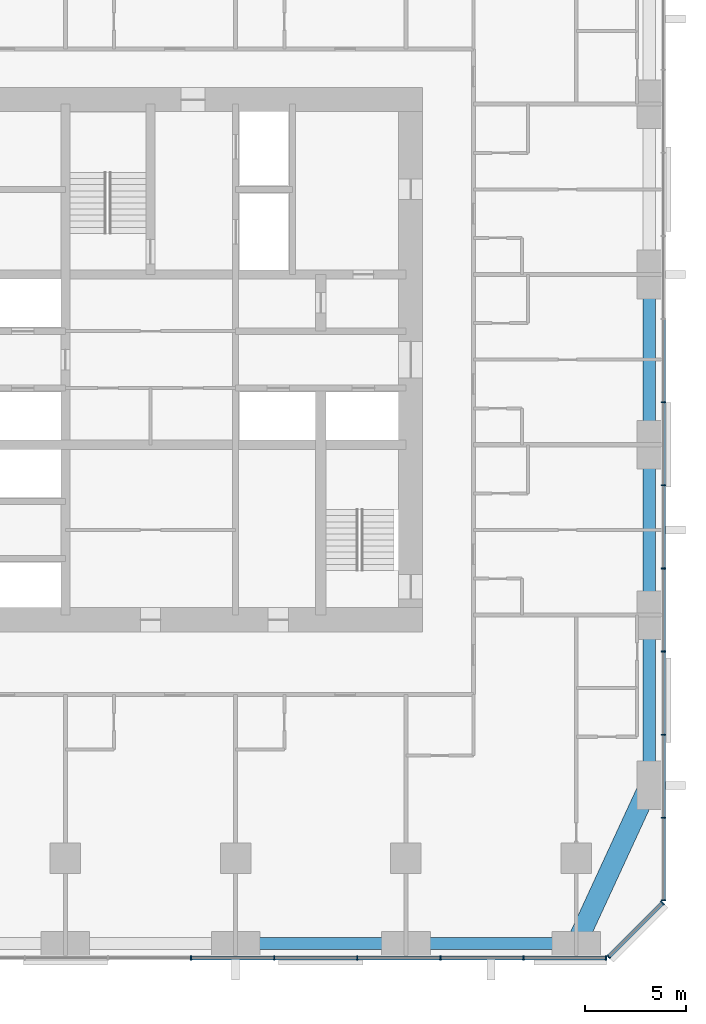
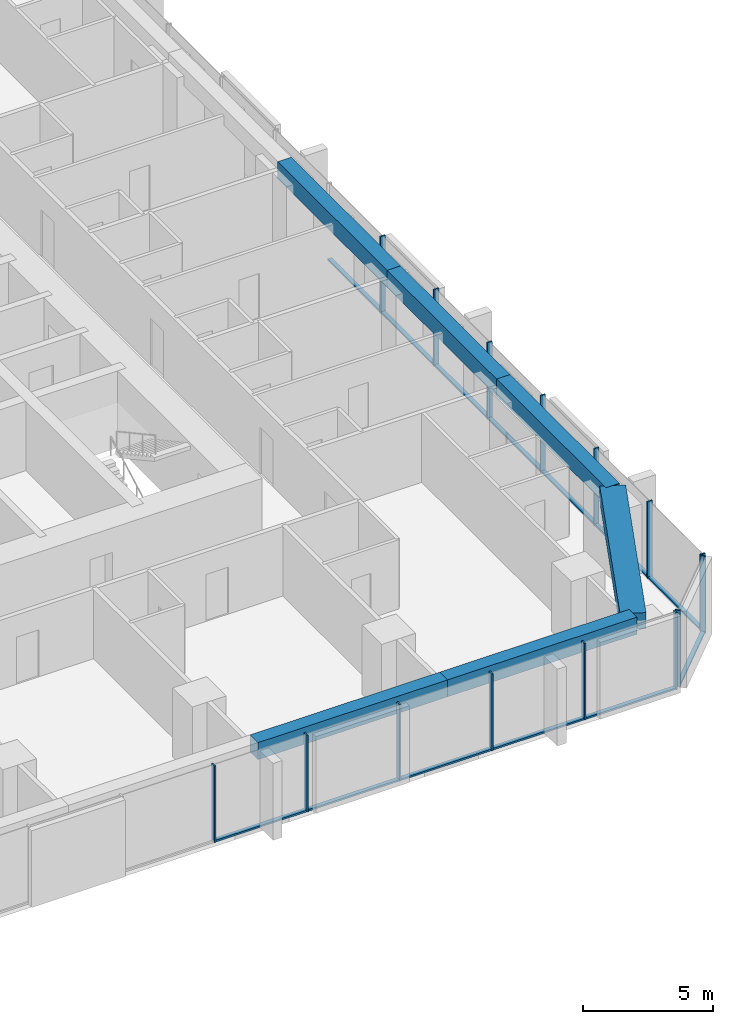
# One storey, part 4 of 13: 28 members, 6 beams, 3 elements without a shape of their own.
"""IFC4 building model written with IfcOpenShell, lengths in metres."""

from ifc_helpers import new_model, si_unit, direction, frame, origin, origin_2d, place, context, subcontext, project, spatial, rectangle, extrude, material, material_profile, profile_set, type_object, element, aggregate, save


model = new_model("IFC4")

# Units and contexts
model_context = context("Model", 3, precision=1e-05, world=origin(), true_north=direction((0.0, 1.0)))
body_context = subcontext(model_context, "Body", "Model", "MODEL_VIEW")
ifc_project = project(units=[si_unit("LENGTHUNIT", "METRE"), si_unit("AREAUNIT", "SQUARE_METRE"), si_unit("VOLUMEUNIT", "CUBIC_METRE"), si_unit("PLANEANGLEUNIT", "RADIAN"), si_unit("MASSUNIT", "GRAM", prefix="KILO")], contexts=[model_context])

# Site, building, storey
site_placement = place(None, origin())
site = spatial("IfcSite", under=ifc_project, at=site_placement, CompositionType="ELEMENT")
building_placement = place(site_placement, origin())
building = spatial("IfcBuilding", under=site, at=building_placement, Name="Dunama Terrace Hotel", CompositionType="ELEMENT")
storey_placement = place(building_placement, frame((0.0, 0.0, 111.60009765625)))
storey = spatial("IfcBuildingStorey", under=building, at=storey_placement, Name="L28", CompositionType="ELEMENT", Elevation=111.60009765625)

# Curtain wall, members
ifc_material_1 = material(Name="Aluminium curtain wall system", Category="aluminium")
curtain_wall_type = type_object("IfcCurtainWallType", Name="Unitised fritted glass wall CW-B", PredefinedType="NOTDEFINED", material=ifc_material_1)
curtain_wall_1_placement = place(storey_placement, origin())
curtain_wall_1 = element("IfcCurtainWall", 1, at=curtain_wall_1_placement, inside=storey, type_object=curtain_wall_type, Name="Unitised fritted glass wall CW-B L28", PredefinedType="NOTDEFINED")
ifc_material_2 = material(Name="Aluminium mullion", Category="aluminium")
ifc_material_profile_1 = material_profile(ifc_material_2, rectangle(XDim=0.06494140625, YDim=0.219970703125, at=origin_2d()), Name="CWB MULLION 65X220")
ifc_profile_set_1 = profile_set([ifc_material_profile_1], Name="Aluminium mullion")
member_type_1 = type_object("IfcMemberType", Name="CWB mullion 65x220", PredefinedType="MULLION", material=ifc_profile_set_1)
member_1_placement = place(storey_placement, frame((31.39990234375, -0.110107421875, 0.0), z_axis=(0.0, 0.0, 1.0), x_axis=(1.0, 0.0, 0.0)))
member_1 = element("IfcMember", 2, at=member_1_placement, type_object=member_type_1, Name="CWB mullion", PredefinedType="MULLION", context=body_context, shape_type="SweptSolid", body=[
    extrude(rectangle(XDim=0.06494140625, YDim=0.219970703125, at=origin_2d()), origin(), (0.0, 0.0, 1.0), 3.599853515625),
])
member_2_placement = place(storey_placement, frame((35.5, -0.110107421875, 0.0), z_axis=(0.0, 0.0, 1.0), x_axis=(1.0, 0.0, 0.0)))
member_2 = element("IfcMember", 3, at=member_2_placement, type_object=member_type_1, Name="CWB mullion", PredefinedType="MULLION", context=body_context, shape_type="SweptSolid", body=[
    extrude(rectangle(XDim=0.06494140625, YDim=0.219970703125, at=origin_2d()), origin(), (0.0, 0.0, 1.0), 3.599853515625),
])
member_3_placement = place(storey_placement, frame((39.60009765625, -0.110107421875, 0.0), z_axis=(0.0, 0.0, 1.0), x_axis=(1.0, 0.0, 0.0)))
member_3 = element("IfcMember", 4, at=member_3_placement, type_object=member_type_1, Name="CWB mullion", PredefinedType="MULLION", context=body_context, shape_type="SweptSolid", body=[
    extrude(rectangle(XDim=0.06494140625, YDim=0.219970703125, at=origin_2d()), origin(), (0.0, 0.0, 1.0), 3.599853515625),
])
member_4_placement = place(storey_placement, frame((43.699951171875, -0.110107421875, 0.0), z_axis=(0.0, 0.0, 1.0), x_axis=(1.0, 0.0, 0.0)))
member_4 = element("IfcMember", 5, at=member_4_placement, type_object=member_type_1, Name="CWB mullion", PredefinedType="MULLION", context=body_context, shape_type="SweptSolid", body=[
    extrude(rectangle(XDim=0.06494140625, YDim=0.219970703125, at=origin_2d()), origin(), (0.0, 0.0, 1.0), 3.599853515625),
])
member_5_placement = place(storey_placement, frame((47.800048828125, -0.110107421875, 0.0), z_axis=(0.0, 0.0, 1.0), x_axis=(1.0, 0.0, 0.0)))
member_5 = element("IfcMember", 6, at=member_5_placement, type_object=member_type_1, Name="CWB mullion", PredefinedType="MULLION", context=body_context, shape_type="SweptSolid", body=[
    extrude(rectangle(XDim=0.06494140625, YDim=0.219970703125, at=origin_2d()), origin(), (0.0, 0.0, 1.0), 3.599853515625),
])
member_6_placement = place(storey_placement, frame((51.866943359375, -0.110107421875, 0.0), z_axis=(0.0, 0.0, 1.0), x_axis=(1.0, 0.0, 0.0)))
member_6 = element("IfcMember", 7, at=member_6_placement, type_object=member_type_1, Name="CWB mullion", PredefinedType="MULLION", context=body_context, shape_type="SweptSolid", body=[
    extrude(rectangle(XDim=0.06494140625, YDim=0.219970703125, at=origin_2d()), origin(), (0.0, 0.0, 1.0), 3.599853515625),
])

curtain_wall_2_placement = place(storey_placement, origin())
curtain_wall_2 = element("IfcCurtainWall", 8, at=curtain_wall_2_placement, inside=storey, type_object=curtain_wall_type, Name="Unitised fritted glass wall CW-B L28", PredefinedType="NOTDEFINED")
member_7_placement = place(storey_placement, frame((52.0009765625, -0.054931640625, 0.0), z_axis=(0.0, 0.0, 1.0), x_axis=(0.707106781187, 0.707106781187, 0.0)))
member_7 = element("IfcMember", 9, at=member_7_placement, type_object=member_type_1, Name="CWB mullion", PredefinedType="MULLION", context=body_context, shape_type="SweptSolid", body=[
    extrude(rectangle(XDim=0.06494140625, YDim=0.219970703125, at=origin_2d()), origin(), (0.0, 0.0, 1.0), 3.599853515625),
])
member_8_placement = place(storey_placement, frame((54.655029296875, 2.59912109375, 0.0), z_axis=(0.0, 0.0, 1.0), x_axis=(0.707106781187, 0.707106781187, 0.0)))
member_8 = element("IfcMember", 10, at=member_8_placement, type_object=member_type_1, Name="CWB mullion", PredefinedType="MULLION", context=body_context, shape_type="SweptSolid", body=[
    extrude(rectangle(XDim=0.06494140625, YDim=0.219970703125, at=origin_2d()), origin(), (0.0, 0.0, 1.0), 3.599853515625),
])

curtain_wall_3_placement = place(storey_placement, origin())
curtain_wall_3 = element("IfcCurtainWall", 11, at=curtain_wall_3_placement, inside=storey, type_object=curtain_wall_type, Name="Unitised fritted glass wall CW-B L28", PredefinedType="NOTDEFINED")
member_9_placement = place(storey_placement, frame((54.7099609375, 2.73291015625, 0.0), z_axis=(0.0, 0.0, 1.0), x_axis=(0.0, 1.0, 0.0)))
member_9 = element("IfcMember", 12, at=member_9_placement, type_object=member_type_1, Name="CWB mullion", PredefinedType="MULLION", context=body_context, shape_type="SweptSolid", body=[
    extrude(rectangle(XDim=0.06494140625, YDim=0.219970703125, at=origin_2d()), origin(), (0.0, 0.0, 1.0), 3.599853515625),
])
member_10_placement = place(storey_placement, frame((54.7099609375, 6.800048828125, 0.0), z_axis=(0.0, 0.0, 1.0), x_axis=(0.0, 1.0, 0.0)))
member_10 = element("IfcMember", 13, at=member_10_placement, type_object=member_type_1, Name="CWB mullion", PredefinedType="MULLION", context=body_context, shape_type="SweptSolid", body=[
    extrude(rectangle(XDim=0.06494140625, YDim=0.219970703125, at=origin_2d()), origin(), (0.0, 0.0, 1.0), 3.599853515625),
])
member_11_placement = place(storey_placement, frame((54.7099609375, 10.89990234375, 0.0), z_axis=(0.0, 0.0, 1.0), x_axis=(0.0, 1.0, 0.0)))
member_11 = element("IfcMember", 14, at=member_11_placement, type_object=member_type_1, Name="CWB mullion", PredefinedType="MULLION", context=body_context, shape_type="SweptSolid", body=[
    extrude(rectangle(XDim=0.06494140625, YDim=0.219970703125, at=origin_2d()), origin(), (0.0, 0.0, 1.0), 3.599853515625),
])
member_12_placement = place(storey_placement, frame((54.7099609375, 15.0, 0.0), z_axis=(0.0, 0.0, 1.0), x_axis=(0.0, 1.0, 0.0)))
member_12 = element("IfcMember", 15, at=member_12_placement, type_object=member_type_1, Name="CWB mullion", PredefinedType="MULLION", context=body_context, shape_type="SweptSolid", body=[
    extrude(rectangle(XDim=0.06494140625, YDim=0.219970703125, at=origin_2d()), origin(), (0.0, 0.0, 1.0), 3.599853515625),
])
member_13_placement = place(storey_placement, frame((54.7099609375, 19.10009765625, 0.0), z_axis=(0.0, 0.0, 1.0), x_axis=(0.0, 1.0, 0.0)))
member_13 = element("IfcMember", 16, at=member_13_placement, type_object=member_type_1, Name="CWB mullion", PredefinedType="MULLION", context=body_context, shape_type="SweptSolid", body=[
    extrude(rectangle(XDim=0.06494140625, YDim=0.219970703125, at=origin_2d()), origin(), (0.0, 0.0, 1.0), 3.599853515625),
])
member_14_placement = place(storey_placement, frame((54.7099609375, 23.199951171875, 0.0), z_axis=(0.0, 0.0, 1.0), x_axis=(0.0, 1.0, 0.0)))
member_14 = element("IfcMember", 17, at=member_14_placement, type_object=member_type_1, Name="CWB mullion", PredefinedType="MULLION", context=body_context, shape_type="SweptSolid", body=[
    extrude(rectangle(XDim=0.06494140625, YDim=0.219970703125, at=origin_2d()), origin(), (0.0, 0.0, 1.0), 3.599853515625),
])
member_15_placement = place(storey_placement, frame((54.7099609375, 27.300048828125, 0.0), z_axis=(0.0, 0.0, 1.0), x_axis=(0.0, 1.0, 0.0)))
member_15 = element("IfcMember", 18, at=member_15_placement, type_object=member_type_1, Name="CWB mullion", PredefinedType="MULLION", context=body_context, shape_type="SweptSolid", body=[
    extrude(rectangle(XDim=0.06494140625, YDim=0.219970703125, at=origin_2d()), origin(), (0.0, 0.0, 1.0), 3.599853515625),
])

# Member
ifc_material_3 = material(Name="Aluminium transom", Category="aluminium")
ifc_material_profile_2 = material_profile(ifc_material_3, rectangle(XDim=0.179931640625, YDim=0.080078125, at=origin_2d()), Name="CWB TRANSOM 180X80")
ifc_profile_set_2 = profile_set([ifc_material_profile_2], Name="Aluminium transom")
member_type_2 = type_object("IfcMemberType", Name="CWB transom 180x80", PredefinedType="USERDEFINED", material=ifc_profile_set_2)
member_16_placement = place(storey_placement, frame((31.431884765625, -0.110107421875, 0.039794921875), z_axis=(1.0, 0.0, 0.0), x_axis=(0.0, 1.0, 0.0)))
member_16 = element("IfcMember", 19, at=member_16_placement, type_object=member_type_2, Name="CWB transom", ObjectType="TRANSOM", PredefinedType="USERDEFINED", context=body_context, shape_type="SweptSolid", body=[
    extrude(rectangle(XDim=0.179931640625, YDim=0.080078125, at=origin_2d()), origin(), (0.0, 0.0, 1.0), 4.0361328125),
])

member_17_placement = place(storey_placement, frame((35.531982421875, -0.110107421875, 0.039794921875), z_axis=(1.0, 0.0, 0.0), x_axis=(0.0, 1.0, 0.0)))
member_17 = element("IfcMember", 20, at=member_17_placement, type_object=member_type_2, Name="CWB transom", ObjectType="TRANSOM", PredefinedType="USERDEFINED", context=body_context, shape_type="SweptSolid", body=[
    extrude(rectangle(XDim=0.179931640625, YDim=0.080078125, at=origin_2d()), origin(), (0.0, 0.0, 1.0), 4.0361328125),
])

member_18_placement = place(storey_placement, frame((39.633056640625, -0.110107421875, 0.039794921875), z_axis=(1.0, 0.0, 0.0), x_axis=(0.0, 1.0, 0.0)))
member_18 = element("IfcMember", 21, at=member_18_placement, type_object=member_type_2, Name="CWB transom", ObjectType="TRANSOM", PredefinedType="USERDEFINED", context=body_context, shape_type="SweptSolid", body=[
    extrude(rectangle(XDim=0.179931640625, YDim=0.080078125, at=origin_2d()), origin(), (0.0, 0.0, 1.0), 4.034912109375),
])

member_19_placement = place(storey_placement, frame((43.73291015625, -0.110107421875, 0.039794921875), z_axis=(1.0, 0.0, 0.0), x_axis=(0.0, 1.0, 0.0)))
member_19 = element("IfcMember", 22, at=member_19_placement, type_object=member_type_2, Name="CWB transom", ObjectType="TRANSOM", PredefinedType="USERDEFINED", context=body_context, shape_type="SweptSolid", body=[
    extrude(rectangle(XDim=0.179931640625, YDim=0.080078125, at=origin_2d()), origin(), (0.0, 0.0, 1.0), 4.0341796875),
])

member_20_placement = place(storey_placement, frame((47.83203125, -0.110107421875, 0.039794921875), z_axis=(1.0, 0.0, 0.0), x_axis=(0.0, 1.0, 0.0)))
member_20 = element("IfcMember", 23, at=member_20_placement, type_object=member_type_2, Name="CWB transom", ObjectType="TRANSOM", PredefinedType="USERDEFINED", context=body_context, shape_type="SweptSolid", body=[
    extrude(rectangle(XDim=0.179931640625, YDim=0.080078125, at=origin_2d()), origin(), (0.0, 0.0, 1.0), 4.0029296875),
])

aggregate(curtain_wall_1, [member_1, member_2, member_3, member_4, member_5, member_6, member_16, member_17, member_18, member_19, member_20])

member_21_placement = place(storey_placement, frame((52.02392578125, -0.031982421875, 0.039794921875), z_axis=(0.707139876915, 0.707073683909, 0.0), x_axis=(-0.707073683909, 0.707139876915, 0.0)))
member_21 = element("IfcMember", 24, at=member_21_placement, type_object=member_type_2, Name="CWB transom", ObjectType="TRANSOM", PredefinedType="USERDEFINED", context=body_context, shape_type="SweptSolid", body=[
    extrude(rectangle(XDim=0.179931640625, YDim=0.080078125, at=origin_2d()), origin(), (0.0, 0.0, 1.0), 3.688232421875),
])

aggregate(curtain_wall_2, [member_7, member_8, member_21])

member_22_placement = place(storey_placement, frame((54.7099609375, 2.764892578125, 0.039794921875), z_axis=(0.0, 1.0, 0.0), x_axis=(-1.0, 0.0, 0.0)))
member_22 = element("IfcMember", 25, at=member_22_placement, type_object=member_type_2, Name="CWB transom", ObjectType="TRANSOM", PredefinedType="USERDEFINED", context=body_context, shape_type="SweptSolid", body=[
    extrude(rectangle(XDim=0.179931640625, YDim=0.080078125, at=origin_2d()), origin(), (0.0, 0.0, 1.0), 4.003173828125),
])

member_23_placement = place(storey_placement, frame((54.7099609375, 6.83203125, 0.039794921875), z_axis=(0.0, 1.0, 0.0), x_axis=(-1.0, 0.0, 0.0)))
member_23 = element("IfcMember", 26, at=member_23_placement, type_object=member_type_2, Name="CWB transom", ObjectType="TRANSOM", PredefinedType="USERDEFINED", context=body_context, shape_type="SweptSolid", body=[
    extrude(rectangle(XDim=0.179931640625, YDim=0.080078125, at=origin_2d()), origin(), (0.0, 0.0, 1.0), 4.034912109375),
])

member_24_placement = place(storey_placement, frame((54.7099609375, 10.93310546875, 0.039794921875), z_axis=(0.0, 1.0, 0.0), x_axis=(-1.0, 0.0, 0.0)))
member_24 = element("IfcMember", 27, at=member_24_placement, type_object=member_type_2, Name="CWB transom", ObjectType="TRANSOM", PredefinedType="USERDEFINED", context=body_context, shape_type="SweptSolid", body=[
    extrude(rectangle(XDim=0.179931640625, YDim=0.080078125, at=origin_2d()), origin(), (0.0, 0.0, 1.0), 4.033935546875),
])

member_25_placement = place(storey_placement, frame((54.7099609375, 15.031982421875, 0.039794921875), z_axis=(0.0, 1.0, 0.0), x_axis=(-1.0, 0.0, 0.0)))
member_25 = element("IfcMember", 28, at=member_25_placement, type_object=member_type_2, Name="CWB transom", ObjectType="TRANSOM", PredefinedType="USERDEFINED", context=body_context, shape_type="SweptSolid", body=[
    extrude(rectangle(XDim=0.179931640625, YDim=0.080078125, at=origin_2d()), origin(), (0.0, 0.0, 1.0), 4.034912109375),
])

member_26_placement = place(storey_placement, frame((54.7099609375, 19.132080078125, 0.039794921875), z_axis=(0.0, 1.0, 0.0), x_axis=(-1.0, 0.0, 0.0)))
member_26 = element("IfcMember", 29, at=member_26_placement, type_object=member_type_2, Name="CWB transom", ObjectType="TRANSOM", PredefinedType="USERDEFINED", context=body_context, shape_type="SweptSolid", body=[
    extrude(rectangle(XDim=0.179931640625, YDim=0.080078125, at=origin_2d()), origin(), (0.0, 0.0, 1.0), 4.035888671875),
])

member_27_placement = place(storey_placement, frame((54.7099609375, 23.23193359375, 0.039794921875), z_axis=(0.0, 1.0, 0.0), x_axis=(-1.0, 0.0, 0.0)))
member_27 = element("IfcMember", 30, at=member_27_placement, type_object=member_type_2, Name="CWB transom", ObjectType="TRANSOM", PredefinedType="USERDEFINED", context=body_context, shape_type="SweptSolid", body=[
    extrude(rectangle(XDim=0.179931640625, YDim=0.080078125, at=origin_2d()), origin(), (0.0, 0.0, 1.0), 4.03515625),
])

member_28_placement = place(storey_placement, frame((54.7099609375, 27.33203125, 0.039794921875), z_axis=(0.0, 1.0, 0.0), x_axis=(-1.0, 0.0, 0.0)))
member_28 = element("IfcMember", 31, at=member_28_placement, type_object=member_type_2, Name="CWB transom", ObjectType="TRANSOM", PredefinedType="USERDEFINED", context=body_context, shape_type="SweptSolid", body=[
    extrude(rectangle(XDim=0.179931640625, YDim=0.080078125, at=origin_2d()), origin(), (0.0, 0.0, 1.0), 4.034912109375),
])

aggregate(curtain_wall_3, [member_9, member_10, member_11, member_12, member_13, member_14, member_15, member_22, member_23, member_24, member_25, member_26, member_27, member_28])

# Beams
ifc_material_4 = material(Name="Concrete C50/60", Category="concrete")
ifc_material_profile_3 = material_profile(ifc_material_4, rectangle(XDim=1.0, YDim=0.75, at=origin_2d()), Name="RC 1000x750")
ifc_profile_set_3 = profile_set([ifc_material_profile_3], Name="Concrete C50/60")
beam_type_1 = type_object("IfcBeamType", Name="Edge beam RC 1000x750", PredefinedType="SPANDREL", material=ifc_profile_set_3)
beam_1_placement = place(storey_placement, frame((50.39990234375, 0.60009765625, 3.224853515625), z_axis=(0.419076199598, 0.907951066374, 0.0), x_axis=(-0.907951066374, 0.419076199598, 0.0)))
element("IfcBeam", 32, at=beam_1_placement, inside=storey, type_object=beam_type_1, Name="Corner edge beam under L29", PredefinedType="SPANDREL", context=body_context, shape_type="SweptSolid", body=[
    extrude(rectangle(XDim=1.0, YDim=0.75, at=origin_2d()), origin(), (0.0, 0.0, 1.0), 8.590576171875),
])
ifc_material_5 = material(Name="Concrete C40/50", Category="concrete")
ifc_material_profile_4 = material_profile(ifc_material_5, rectangle(XDim=0.60009765625, YDim=0.800048828125, at=origin_2d()), Name="RC 600x800")
ifc_profile_set_4 = profile_set([ifc_material_profile_4], Name="Concrete C40/50")
beam_type_2 = type_object("IfcBeamType", Name="Edge beam RC 600x800", PredefinedType="SPANDREL", material=ifc_profile_set_4)
beam_2_placement = place(storey_placement, frame((54.0, 8.39990234375, 3.199951171875), z_axis=(0.0, 1.0, 0.0), x_axis=(-1.0, 0.0, 0.0)))
element("IfcBeam", 33, at=beam_2_placement, inside=storey, type_object=beam_type_2, Name="Edge beam under L29", PredefinedType="SPANDREL", context=body_context, shape_type="SweptSolid", body=[
    extrude(rectangle(XDim=0.60009765625, YDim=0.800048828125, at=origin_2d()), origin(), (0.0, 0.0, 1.0), 8.400146484375),
])
beam_3_placement = place(storey_placement, frame((54.0, 16.800048828125, 3.199951171875), z_axis=(0.0, 1.0, 0.0), x_axis=(-1.0, 0.0, 0.0)))
element("IfcBeam", 34, at=beam_3_placement, inside=storey, type_object=beam_type_2, Name="Edge beam under L29", PredefinedType="SPANDREL", context=body_context, shape_type="SweptSolid", body=[
    extrude(rectangle(XDim=0.60009765625, YDim=0.800048828125, at=origin_2d()), origin(), (0.0, 0.0, 1.0), 8.39990234375),
])
beam_4_placement = place(storey_placement, frame((54.0, 25.199951171875, 3.199951171875), z_axis=(0.0, 1.0, 0.0), x_axis=(-1.0, 0.0, 0.0)))
element("IfcBeam", 35, at=beam_4_placement, inside=storey, type_object=beam_type_2, Name="Edge beam under L29", PredefinedType="SPANDREL", context=body_context, shape_type="SweptSolid", body=[
    extrude(rectangle(XDim=0.60009765625, YDim=0.800048828125, at=origin_2d()), origin(), (0.0, 0.0, 1.0), 8.400146484375),
])
for number, where, z_axis, x_axis, name in (
    (36, (33.60009765625, 0.60009765625, 3.199951171875), (1.0, 0.0, 0.0), (0.0, 1.0, 0.0), "Edge beam under L29"),
    (37, (42.0, 0.60009765625, 3.199951171875), (1.0, 0.0, 0.0), (0.0, 1.0, 0.0), "Edge beam under L29"),
):
    element("IfcBeam", number, at=place(storey_placement, frame(where, z_axis=z_axis, x_axis=x_axis)), inside=storey, type_object=beam_type_2, Name=name, PredefinedType="SPANDREL", context=body_context, shape_type="SweptSolid", body=[
        extrude(rectangle(XDim=0.60009765625, YDim=0.800048828125, at=origin_2d()), origin(), (0.0, 0.0, 1.0), 8.39990234375),
    ])

save(model, "model.ifc")
